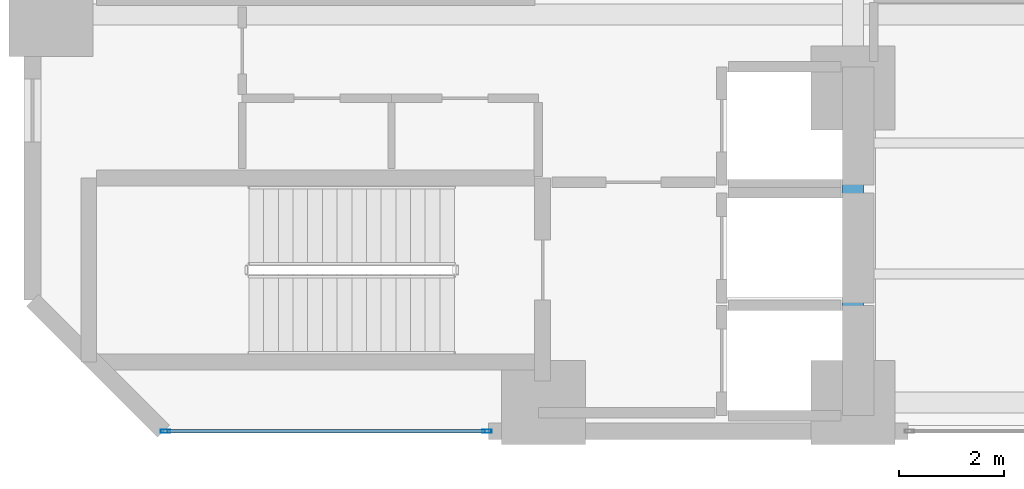
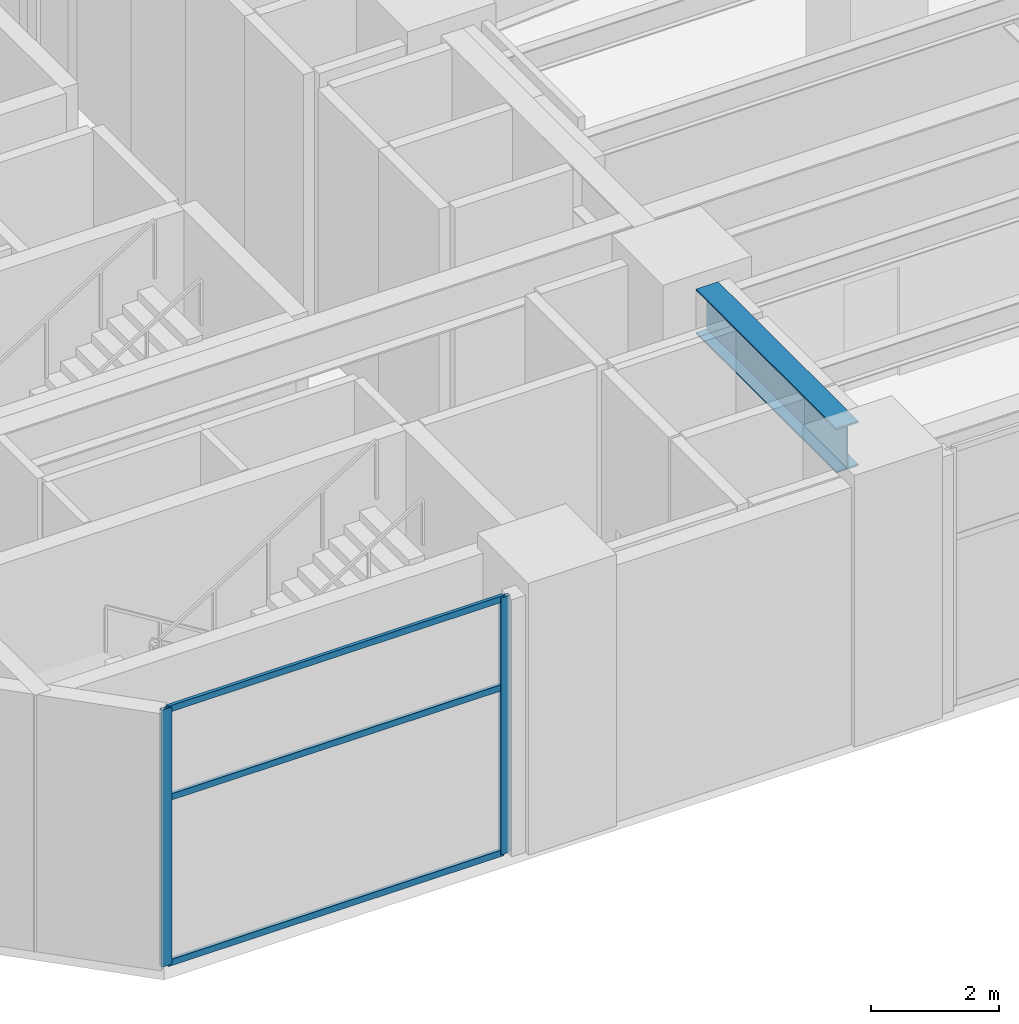
# One storey, part 2 of 29: 5 members, 1 beam, 1 element without a shape of its own.
"""IFC4 building model written with IfcOpenShell, lengths in metres."""

from ifc_helpers import new_model, si_unit, direction, frame, origin, origin_2d, place, context, subcontext, project, spatial, hollow_rectangle, i_section, extrude, material, layer, layer_set, material_profile, profile_set, type_object, element, aggregate, save


model = new_model("IFC4")

# Units and contexts
model_context = context("Model", 3, precision=1e-05, world=origin(), true_north=direction((0.0, 1.0)))
body_context = subcontext(model_context, "Body", "Model", "MODEL_VIEW")
ifc_project = project(units=[si_unit("LENGTHUNIT", "METRE"), si_unit("AREAUNIT", "SQUARE_METRE"), si_unit("VOLUMEUNIT", "CUBIC_METRE"), si_unit("PLANEANGLEUNIT", "RADIAN"), si_unit("MASSUNIT", "GRAM", prefix="KILO")], contexts=[model_context])

# Site, building, storey
site_placement = place(None, origin())
site = spatial("IfcSite", under=ifc_project, at=site_placement, CompositionType="ELEMENT")
building_placement = place(site_placement, origin())
building = spatial("IfcBuilding", under=site, at=building_placement, Name="Mawjaban Terraces University", CompositionType="ELEMENT")
storey_placement = place(building_placement, frame((0.0, 0.0, 15.60009765625)))
storey = spatial("IfcBuildingStorey", under=building, at=storey_placement, Name="L03", CompositionType="ELEMENT", Elevation=15.60009765625)

# Beam
ifc_material_1 = material(Name="Steel ASTM A572 Grade 50", Category="steel")
ifc_material_profile_1 = material_profile(ifc_material_1, i_section(OverallWidth=0.39990234375, OverallDepth=0.85498046875, WebThickness=0.018310546875, FlangeThickness=0.029296875, at=origin_2d()), Name="W840X299")
ifc_profile_set_1 = profile_set([ifc_material_profile_1], Name="Steel ASTM A572 Grade 50")
beam_type = type_object("IfcBeamType", Name="Beam_B_W840X299", PredefinedType="BEAM", material=ifc_profile_set_1)
beam_placement = place(storey_placement, frame((37.64990234375, 1.35009765625, 4.492919921875), z_axis=(0.0, 1.0, 0.0), x_axis=(-1.0, 0.0, 0.0)))
element("IfcBeam", 1, at=beam_placement, inside=storey, type_object=beam_type, Name="L03 Beam BM-L03-NS-05", PredefinedType="BEAM", context=body_context, shape_type="SweptSolid", body=[
    extrude(i_section(OverallWidth=0.39990234375, OverallDepth=0.85498046875, WebThickness=0.018310546875, FlangeThickness=0.029296875, at=origin_2d()), origin(), (0.0, 0.0, 1.0), 4.39990234375),
])

# Curtain wall, members
ifc_material_2 = material(Name="Anodised aluminium 6063-T6 and solar-control low-E glass", Category="aluminium")
ifc_layer = layer(ifc_material_2, 0.175048828125)
ifc_layer_set = layer_set([ifc_layer], Name="Anodised aluminium 6063-T6 and solar-control low-E glass")
curtain_wall_type = type_object("IfcCurtainWallType", Name="CWSystem_02_PodiumLibrary", PredefinedType="NOTDEFINED", material=ifc_layer_set)
curtain_wall_placement = place(storey_placement, origin())
curtain_wall = element("IfcCurtainWall", 2, at=curtain_wall_placement, inside=storey, type_object=curtain_wall_type, Name="L03 Curtain Wall CW-02 Run 1.1", PredefinedType="NOTDEFINED")
ifc_material_3 = material(Name="Anodised aluminium 6063-T6", Category="aluminium")
ifc_material_profile_2 = material_profile(ifc_material_3, hollow_rectangle(XDim=0.06494140625, YDim=0.179931640625, WallThickness=0.00390625, at=origin_2d()), Name="ALU180X65X4")
ifc_profile_set_2 = profile_set([ifc_material_profile_2], Name="Anodised aluminium 6063-T6")
member_type_1 = type_object("IfcMemberType", Name="Mullion_CW-02", PredefinedType="MULLION", material=ifc_profile_set_2)
member_1_placement = place(storey_placement, frame((24.532470703125, 0.0, 0.0), z_axis=(0.0, 0.0, 1.0), x_axis=(0.0, 1.0, 0.0)))
member_1 = element("IfcMember", 3, at=member_1_placement, type_object=member_type_1, Name="CW-02 mullion 1", PredefinedType="MULLION", context=body_context, shape_type="SweptSolid", body=[
    extrude(hollow_rectangle(XDim=0.06494140625, YDim=0.179931640625, WallThickness=0.00390625, at=origin_2d()), origin(), (0.0, 0.0, 1.0), 4.919921875),
])
member_2_placement = place(storey_placement, frame((30.66748046875, 0.0, 0.0), z_axis=(0.0, 0.0, 1.0), x_axis=(0.0, 1.0, 0.0)))
member_2 = element("IfcMember", 4, at=member_2_placement, type_object=member_type_1, Name="CW-02 mullion 2", PredefinedType="MULLION", context=body_context, shape_type="SweptSolid", body=[
    extrude(hollow_rectangle(XDim=0.06494140625, YDim=0.179931640625, WallThickness=0.00390625, at=origin_2d()), origin(), (0.0, 0.0, 1.0), 4.919921875),
])
ifc_material_profile_3 = material_profile(ifc_material_3, hollow_rectangle(XDim=0.06005859375, YDim=0.1201171875, WallThickness=0.00341796875, at=origin_2d()), Name="ALU120X60X3.5")
ifc_profile_set_3 = profile_set([ifc_material_profile_3], Name="Anodised aluminium 6063-T6")
member_type_2 = type_object("IfcMemberType", Name="Transom_CW-02", PredefinedType="NOTDEFINED", material=ifc_profile_set_3)
member_3_placement = place(storey_placement, frame((24.56494140625, 0.0, 0.02978515625), z_axis=(1.0, 0.0, 0.0), x_axis=(0.0, 1.0, 0.0)))
member_3 = element("IfcMember", 5, at=member_3_placement, type_object=member_type_2, Name="CW-02 transom 1.1", ObjectType="TRANSOM", PredefinedType="USERDEFINED", context=body_context, shape_type="SweptSolid", body=[
    extrude(hollow_rectangle(XDim=0.06005859375, YDim=0.1201171875, WallThickness=0.00341796875, at=origin_2d()), origin(), (0.0, 0.0, 1.0), 6.070068359375),
])
member_4_placement = place(storey_placement, frame((24.56494140625, 0.0, 3.197998046875), z_axis=(1.0, 0.0, 0.0), x_axis=(0.0, 1.0, 0.0)))
member_4 = element("IfcMember", 6, at=member_4_placement, type_object=member_type_2, Name="CW-02 transom 1.2", ObjectType="TRANSOM", PredefinedType="USERDEFINED", context=body_context, shape_type="SweptSolid", body=[
    extrude(hollow_rectangle(XDim=0.06005859375, YDim=0.1201171875, WallThickness=0.00341796875, at=origin_2d()), origin(), (0.0, 0.0, 1.0), 6.070068359375),
])
member_5_placement = place(storey_placement, frame((24.56494140625, 0.0, 4.889892578125), z_axis=(1.0, 0.0, 0.0), x_axis=(0.0, 1.0, 0.0)))
member_5 = element("IfcMember", 7, at=member_5_placement, type_object=member_type_2, Name="CW-02 transom 1.3", ObjectType="TRANSOM", PredefinedType="USERDEFINED", context=body_context, shape_type="SweptSolid", body=[
    extrude(hollow_rectangle(XDim=0.06005859375, YDim=0.1201171875, WallThickness=0.00341796875, at=origin_2d()), origin(), (0.0, 0.0, 1.0), 6.070068359375),
])
aggregate(curtain_wall, [member_1, member_2, member_3, member_4, member_5])

save(model, "model.ifc")
